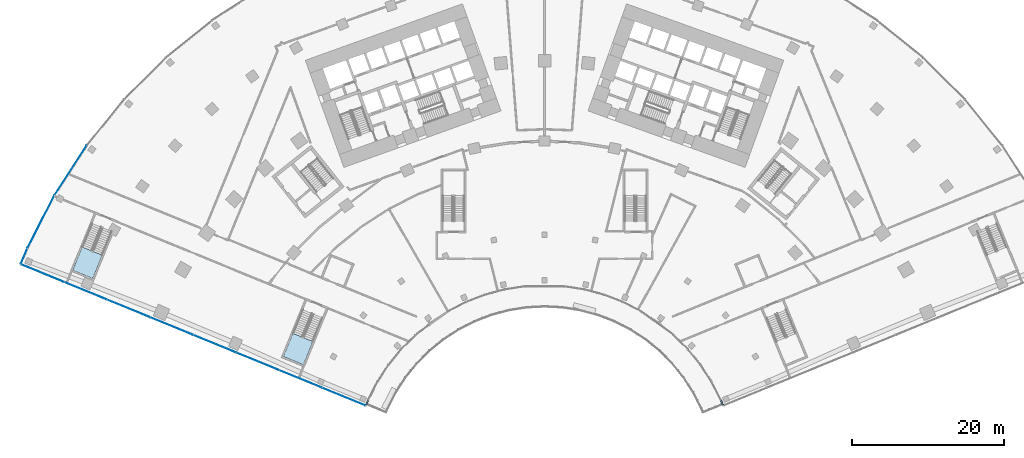
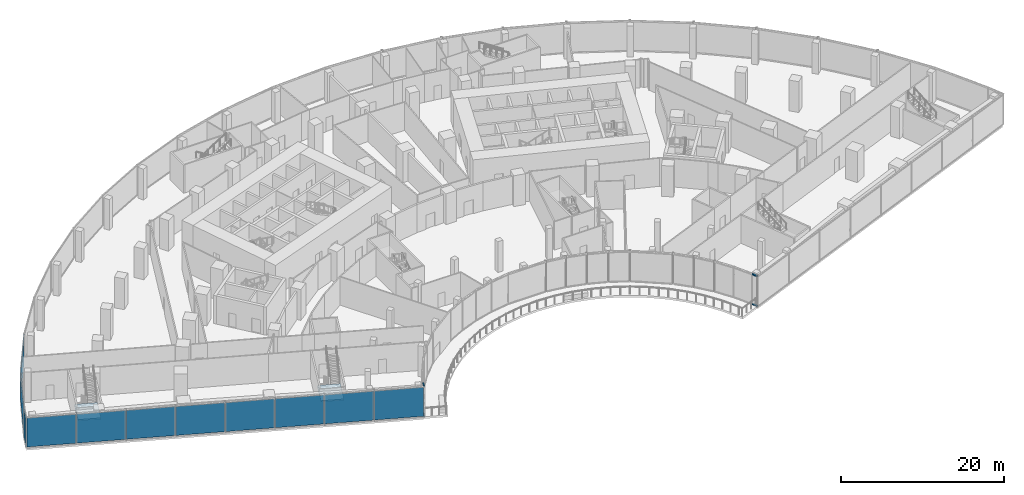
# One storey, part 16 of 39: 11 plates, 4 members, 2 slabs, 5 elements without a shape of their own.
"""IFC4 building model written with IfcOpenShell, lengths in metres."""

from ifc_helpers import new_model, si_unit, direction, frame, origin, origin_2d, place, context, subcontext, project, spatial, polyline, rectangle, outline, extrude, material, layer, layer_set, material_profile, profile_set, type_object, element, aggregate, save


model = new_model("IFC4")

# Units and contexts
model_context = context("Model", 3, precision=1e-05, world=origin(), true_north=direction((0.0, 1.0)))
body_context = subcontext(model_context, "Body", "Model", "MODEL_VIEW")
ifc_project = project(units=[si_unit("LENGTHUNIT", "METRE"), si_unit("AREAUNIT", "SQUARE_METRE"), si_unit("VOLUMEUNIT", "CUBIC_METRE"), si_unit("PLANEANGLEUNIT", "RADIAN"), si_unit("MASSUNIT", "GRAM", prefix="KILO")], contexts=[model_context])

# Site, building, storey
site_placement = place(None, origin())
site = spatial("IfcSite", under=ifc_project, at=site_placement, CompositionType="ELEMENT")
building_placement = place(site_placement, origin())
building = spatial("IfcBuilding", under=site, at=building_placement, Name="Stone Belt Terrace Tower", CompositionType="ELEMENT")
storey_placement = place(building_placement, frame((0.0, 0.0, 16.199951171875)))
storey = spatial("IfcBuildingStorey", under=building, at=storey_placement, Name="L03", CompositionType="ELEMENT", Elevation=16.199951171875)

# Curtain wall, members
ifc_material_1 = material(Name="Aluminium 6063-T6 anodised frame", Category="aluminium")
ifc_layer_1 = layer(ifc_material_1, 0.14990234375)
ifc_layer_set_1 = layer_set([ifc_layer_1], Name="CW-D podium shopfront")
curtain_wall_type = type_object("IfcCurtainWallType", Name="CW-D podium shopfront", PredefinedType="NOTDEFINED", material=ifc_layer_set_1)
curtain_wall_1_placement = place(storey_placement, origin())
curtain_wall_1 = element("IfcCurtainWall", 1, at=curtain_wall_1_placement, inside=storey, type_object=curtain_wall_type, Name="CW-D concave face L03", PredefinedType="NOTDEFINED")
ifc_material_profile = material_profile(ifc_material_1, rectangle(XDim=0.14990234375, YDim=0.139892578125, at=origin_2d()), Name="Aluminium 6063-T6 150x140")
ifc_profile_set = profile_set([ifc_material_profile], Name="Aluminium 6063-T6 anodised frame")
member_type = type_object("IfcMemberType", Name="CW-D transom 140 x 150", PredefinedType="USERDEFINED", material=ifc_profile_set)
member_1_placement = place(storey_placement, frame((-23.526123046875, 9.641357421875, 0.070068359375), z_axis=(0.393108826647, 0.919491952337, 0.0), x_axis=(-0.919491952337, 0.393108826647, 0.0)))
member_1 = element("IfcMember", 2, at=member_1_placement, type_object=member_type, Name="CW-D transom 1.1", ObjectType="TRANSOM", PredefinedType="USERDEFINED", context=body_context, shape_type="SweptSolid", body=[
    extrude(rectangle(XDim=0.14990234375, YDim=0.139892578125, at=origin_2d()), origin(), (0.0, 0.0, 1.0), 0.727294921875),
])
member_2_placement = place(storey_placement, frame((-23.526123046875, 9.641357421875, 4.530029296875), z_axis=(0.393108826647, 0.919491952337, 0.0), x_axis=(-0.919491952337, 0.393108826647, 0.0)))
member_2 = element("IfcMember", 3, at=member_2_placement, type_object=member_type, Name="CW-D transom 1.2", ObjectType="TRANSOM", PredefinedType="USERDEFINED", context=body_context, shape_type="SweptSolid", body=[
    extrude(rectangle(XDim=0.14990234375, YDim=0.139892578125, at=origin_2d()), origin(), (0.0, 0.0, 1.0), 0.727294921875),
])
member_3_placement = place(storey_placement, frame((23.240234375, 10.31005859375, 0.070068359375), z_axis=(0.393108826647, -0.919491952337, 0.0), x_axis=(0.919491952337, 0.393108826647, 0.0)))
member_3 = element("IfcMember", 4, at=member_3_placement, type_object=member_type, Name="CW-D transom 21.1", ObjectType="TRANSOM", PredefinedType="USERDEFINED", context=body_context, shape_type="SweptSolid", body=[
    extrude(rectangle(XDim=0.14990234375, YDim=0.139892578125, at=origin_2d()), origin(), (0.0, 0.0, 1.0), 0.727294921875),
])
member_4_placement = place(storey_placement, frame((23.240234375, 10.31005859375, 4.530029296875), z_axis=(0.393108826647, -0.919491952337, 0.0), x_axis=(0.919491952337, 0.393108826647, 0.0)))
member_4 = element("IfcMember", 5, at=member_4_placement, type_object=member_type, Name="CW-D transom 21.2", ObjectType="TRANSOM", PredefinedType="USERDEFINED", context=body_context, shape_type="SweptSolid", body=[
    extrude(rectangle(XDim=0.14990234375, YDim=0.139892578125, at=origin_2d()), origin(), (0.0, 0.0, 1.0), 0.727294921875),
])
aggregate(curtain_wall_1, [member_1, member_2, member_3, member_4])

# Curtain wall, plates
curtain_wall_2_placement = place(storey_placement, origin())
curtain_wall_2 = element("IfcCurtainWall", 6, at=curtain_wall_2_placement, inside=storey, type_object=curtain_wall_type, Name="CW-D convex face L03", PredefinedType="NOTDEFINED")
ifc_material_2 = material(Name="Clear double glazed unit")
ifc_layer_2 = layer(ifc_material_2, 0.031982421875)
ifc_layer_set_2 = layer_set([ifc_layer_2], Name="CW-D glass panel 32")
plate_type = type_object("IfcPlateType", Name="CW-D glass panel 32", PredefinedType="CURTAIN_PANEL", material=ifc_layer_set_2)
plate_1_placement = place(storey_placement, frame((-62.458251953125, 40.560791015625, 0.14013671875), z_axis=(0.0, 0.0, 1.0), x_axis=(-0.544639035015, -0.838670567945, 0.0)))
plate_1 = element("IfcPlate", 7, at=plate_1_placement, type_object=plate_type, Name="CW-D panel 22.1", PredefinedType="CURTAIN_PANEL", context=body_context, shape_type="SweptSolid", body=[
    extrude(rectangle(XDim=7.738037109375, YDim=0.031982421875, at=origin_2d()), origin(), (0.0, 0.0, 1.0), 4.320068359375),
])
plate_2_placement = place(storey_placement, frame((-66.355712890625, 33.81005859375, 0.14013671875), z_axis=(0.0, 0.0, 1.0), x_axis=(-0.45399049974, -0.891006524188, 0.0)))
plate_2 = element("IfcPlate", 8, at=plate_2_placement, type_object=plate_type, Name="CW-D panel 23.1", PredefinedType="CURTAIN_PANEL", context=body_context, shape_type="SweptSolid", body=[
    extrude(rectangle(XDim=7.738037109375, YDim=0.031982421875, at=origin_2d()), origin(), (0.0, 0.0, 1.0), 4.320068359375),
])
plate_3_placement = place(storey_placement, frame((-68.572021484375, 29.292724609375, 0.14013671875), z_axis=(0.0, 0.0, 1.0), x_axis=(-0.393033792222, -0.919524028056, 0.0)))
plate_3 = element("IfcPlate", 9, at=plate_3_placement, type_object=plate_type, Name="CW-D panel 24.1", PredefinedType="CURTAIN_PANEL", context=body_context, shape_type="SweptSolid", body=[
    extrude(rectangle(XDim=2.19921875, YDim=0.031982421875, at=origin_2d()), origin(), (0.0, 0.0, 1.0), 4.320068359375),
])
aggregate(curtain_wall_2, [plate_1, plate_2, plate_3])

curtain_wall_3_placement = place(storey_placement, origin())
curtain_wall_3 = element("IfcCurtainWall", 10, at=curtain_wall_3_placement, inside=storey, type_object=curtain_wall_type, Name="CW-D end face L03", PredefinedType="NOTDEFINED")
plate_4_placement = place(storey_placement, frame((-66.14404296875, 27.02880859375, 0.14013671875), z_axis=(0.0, 0.0, 1.0), x_axis=(0.925297074342, -0.379243093825, 0.0)))
plate_4 = element("IfcPlate", 11, at=plate_4_placement, type_object=plate_type, Name="CW-D panel 1.1", PredefinedType="CURTAIN_PANEL", context=body_context, shape_type="SweptSolid", body=[
    extrude(rectangle(XDim=6.0966796875, YDim=0.031982421875, at=origin_2d()), origin(), (0.0, 0.0, 1.0), 4.320068359375),
])
plate_5_placement = place(storey_placement, frame((-60.4619140625, 24.699951171875, 0.14013671875), z_axis=(0.0, 0.0, 1.0), x_axis=(0.925297074342, -0.379243093825, 0.0)))
plate_5 = element("IfcPlate", 12, at=plate_5_placement, type_object=plate_type, Name="CW-D panel 2.1", PredefinedType="CURTAIN_PANEL", context=body_context, shape_type="SweptSolid", body=[
    extrude(rectangle(XDim=6.06494140625, YDim=0.031982421875, at=origin_2d()), origin(), (0.0, 0.0, 1.0), 4.320068359375),
])
plate_6_placement = place(storey_placement, frame((-54.79443359375, 22.376953125, 0.14013671875), z_axis=(0.0, 0.0, 1.0), x_axis=(0.925297074342, -0.379243093825, 0.0)))
plate_6 = element("IfcPlate", 13, at=plate_6_placement, type_object=plate_type, Name="CW-D panel 3.1", PredefinedType="CURTAIN_PANEL", context=body_context, shape_type="SweptSolid", body=[
    extrude(rectangle(XDim=6.06494140625, YDim=0.031982421875, at=origin_2d()), origin(), (0.0, 0.0, 1.0), 4.320068359375),
])
plate_7_placement = place(storey_placement, frame((-49.126953125, 20.05419921875, 0.14013671875), z_axis=(0.0, 0.0, 1.0), x_axis=(0.925297074342, -0.379243093825, 0.0)))
plate_7 = element("IfcPlate", 14, at=plate_7_placement, type_object=plate_type, Name="CW-D panel 4.1", PredefinedType="CURTAIN_PANEL", context=body_context, shape_type="SweptSolid", body=[
    extrude(rectangle(XDim=6.06494140625, YDim=0.031982421875, at=origin_2d()), origin(), (0.0, 0.0, 1.0), 4.320068359375),
])
plate_8_placement = place(storey_placement, frame((-43.45947265625, 17.7314453125, 0.14013671875), z_axis=(0.0, 0.0, 1.0), x_axis=(0.925297074342, -0.379243093825, 0.0)))
plate_8 = element("IfcPlate", 15, at=plate_8_placement, type_object=plate_type, Name="CW-D panel 5.1", PredefinedType="CURTAIN_PANEL", context=body_context, shape_type="SweptSolid", body=[
    extrude(rectangle(XDim=6.06494140625, YDim=0.031982421875, at=origin_2d()), origin(), (0.0, 0.0, 1.0), 4.320068359375),
])
plate_9_placement = place(storey_placement, frame((-37.792236328125, 15.408447265625, 0.14013671875), z_axis=(0.0, 0.0, 1.0), x_axis=(0.925297074342, -0.379243093825, 0.0)))
plate_9 = element("IfcPlate", 16, at=plate_9_placement, type_object=plate_type, Name="CW-D panel 6.1", PredefinedType="CURTAIN_PANEL", context=body_context, shape_type="SweptSolid", body=[
    extrude(rectangle(XDim=6.06494140625, YDim=0.031982421875, at=origin_2d()), origin(), (0.0, 0.0, 1.0), 4.320068359375),
])
plate_10_placement = place(storey_placement, frame((-32.124755859375, 13.085693359375, 0.14013671875), z_axis=(0.0, 0.0, 1.0), x_axis=(0.925297074342, -0.379243093825, 0.0)))
plate_10 = element("IfcPlate", 17, at=plate_10_placement, type_object=plate_type, Name="CW-D panel 7.1", PredefinedType="CURTAIN_PANEL", context=body_context, shape_type="SweptSolid", body=[
    extrude(rectangle(XDim=6.06494140625, YDim=0.031982421875, at=origin_2d()), origin(), (0.0, 0.0, 1.0), 4.320068359375),
])
plate_11_placement = place(storey_placement, frame((-26.443359375, 10.757080078125, 0.14013671875), z_axis=(0.0, 0.0, 1.0), x_axis=(0.925297074342, -0.379243093825, 0.0)))
plate_11 = element("IfcPlate", 18, at=plate_11_placement, type_object=plate_type, Name="CW-D panel 8.1", PredefinedType="CURTAIN_PANEL", context=body_context, shape_type="SweptSolid", body=[
    extrude(rectangle(XDim=6.094970703125, YDim=0.031982421875, at=origin_2d()), origin(), (0.0, 0.0, 1.0), 4.320068359375),
])
aggregate(curtain_wall_3, [plate_4, plate_5, plate_6, plate_7, plate_8, plate_9, plate_10, plate_11])

# Stair, slab
ifc_material_3 = material(Name="Concrete B30", Category="concrete")
stair_type = type_object("IfcStairType", Name="Podium stair concrete B30", PredefinedType="HALF_TURN_STAIR", material=ifc_material_3)
stair_1_placement = place(storey_placement, origin())
stair_1 = element("IfcStair", 19, at=stair_1_placement, inside=storey, type_object=stair_type, Name="L03 podium exit stair 1", PredefinedType="HALF_TURN_STAIR")
ifc_layer_3 = layer(ifc_material_3, 0.199951171875)
ifc_layer_set_3 = layer_set([ifc_layer_3], Name="Podium stair landing concrete B30")
slab_type = type_object("IfcSlabType", Name="Podium stair landing concrete B30", PredefinedType="LANDING", material=ifc_layer_set_3)
slab_1_placement = place(storey_placement, frame((0.0, 0.0, 2.10009765625)))
slab_1 = element("IfcSlab", 20, at=slab_1_placement, type_object=slab_type, Name="PS1 landing 1", PredefinedType="LANDING", context=body_context, shape_type="SweptSolid", body=[
    extrude(outline(polyline([(-33.15283203125, 19.11376953125), (-34.4091796875, 16.04833984375), (-31.772216796875, 14.967529296875), (-30.515625, 18.032958984375), (-33.15283203125, 19.11376953125)])), origin(), (0.0, 0.0, 1.0), 0.199951171875),
])
aggregate(stair_1, [slab_1])

stair_2_placement = place(storey_placement, origin())
stair_2 = element("IfcStair", 21, at=stair_2_placement, inside=storey, type_object=stair_type, Name="L03 podium exit stair 2", PredefinedType="HALF_TURN_STAIR")
slab_2_placement = place(storey_placement, frame((0.0, 0.0, 2.10009765625)))
slab_2 = element("IfcSlab", 22, at=slab_2_placement, type_object=slab_type, Name="PS2 landing 1", PredefinedType="LANDING", context=body_context, shape_type="SweptSolid", body=[
    extrude(outline(polyline([(-60.91162109375, 30.4912109375), (-62.168212890625, 27.425537109375), (-59.531005859375, 26.3447265625), (-58.274658203125, 29.410400390625), (-60.91162109375, 30.4912109375)])), origin(), (0.0, 0.0, 1.0), 0.199951171875),
])
aggregate(stair_2, [slab_2])

save(model, "model.ifc")
